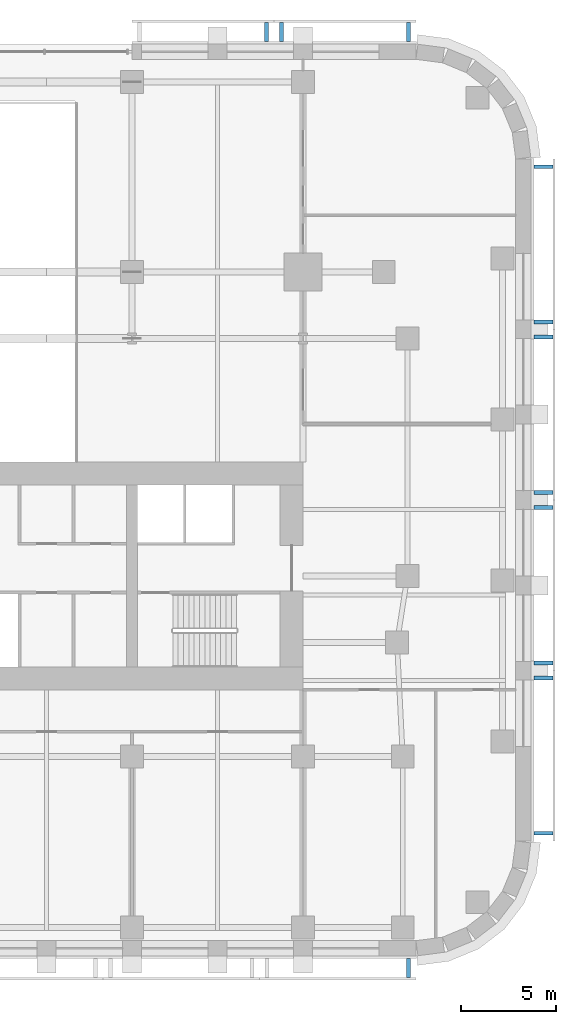
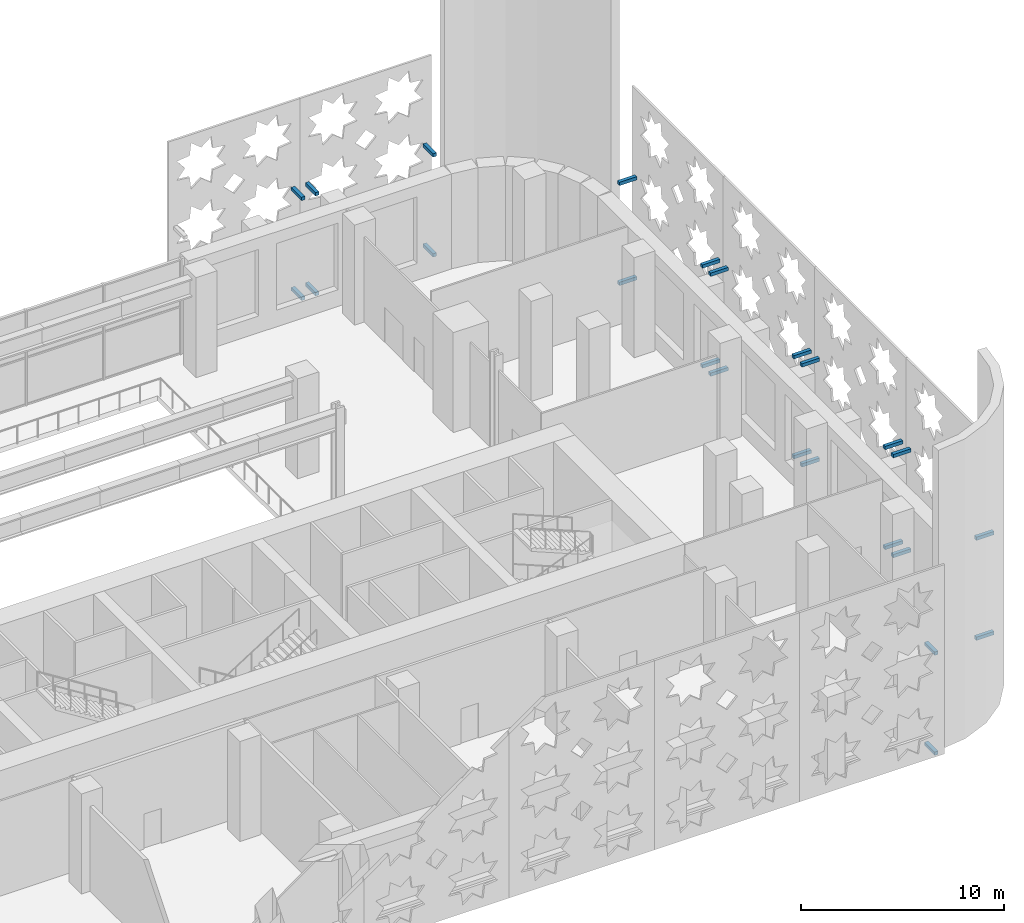
# One storey, part 11 of 17: 24 discrete accessories.
"""IFC4 building model written with IfcOpenShell, lengths in metres."""

from ifc_helpers import new_model, si_unit, direction, frame, origin, origin_2d, place, context, subcontext, project, spatial, rectangle, extrude, material, type_object, element, save


model = new_model("IFC4")

# Units and contexts
model_context = context("Model", 3, precision=1e-05, world=origin(), true_north=direction((0.0, 1.0)))
body_context = subcontext(model_context, "Body", "Model", "MODEL_VIEW")
ifc_project = project(units=[si_unit("LENGTHUNIT", "METRE"), si_unit("AREAUNIT", "SQUARE_METRE"), si_unit("VOLUMEUNIT", "CUBIC_METRE"), si_unit("PLANEANGLEUNIT", "RADIAN"), si_unit("MASSUNIT", "GRAM", prefix="KILO")], contexts=[model_context])

# Site, building, storey
site_placement = place(None, origin())
site = spatial("IfcSite", under=ifc_project, at=site_placement, CompositionType="ELEMENT")
building_placement = place(site_placement, origin())
building = spatial("IfcBuilding", under=site, at=building_placement, Name="Zellij Exchange Tower", CompositionType="ELEMENT")
storey_placement = place(building_placement, frame((0.0, 0.0, 21.0)))
storey = spatial("IfcBuildingStorey", under=building, at=storey_placement, Name="L03", CompositionType="ELEMENT", Elevation=21.0)

# Discrete accessories
ifc_material = material(Name="Stainless steel", Category="steel")
discrete_accessory_type = type_object("IfcDiscreteAccessoryType", Name="ENV-BR1 Stone panel bracket 200", PredefinedType="USERDEFINED", material=ifc_material)
for number, where, z_axis, x_axis, name in (
    (1, (32.547607421875, -28.64990234375, 0.2998046875), (0.0, 0.0, 1.0), (1.0, 0.0, 0.0), "Panel bracket"),
    (2, (32.547607421875, -28.64990234375, 6.2998046875), (0.0, 0.0, 1.0), (1.0, 0.0, 0.0), "Panel bracket"),
    (3, (32.547607421875, 20.64990234375, 0.2998046875), (0.0, 0.0, 1.0), (-1.0, 0.0, 0.0), "Panel bracket"),
    (4, (25.873779296875, 20.64990234375, 0.2998046875), (0.0, 0.0, 1.0), (-1.0, 0.0, 0.0), "Panel bracket"),
    (5, (32.547607421875, 20.64990234375, 6.2998046875), (0.0, 0.0, 1.0), (-1.0, 0.0, 0.0), "Panel bracket"),
    (6, (25.873779296875, 20.64990234375, 6.2998046875), (0.0, 0.0, 1.0), (-1.0, 0.0, 0.0), "Panel bracket"),
    (7, (25.07373046875, 20.64990234375, 0.2998046875), (0.0, 0.0, 1.0), (-1.0, 0.0, 0.0), "Panel bracket"),
    (8, (25.07373046875, 20.64990234375, 6.2998046875), (0.0, 0.0, 1.0), (-1.0, 0.0, 0.0), "Panel bracket"),
    (9, (39.64990234375, -21.547607421875, 0.2998046875), (0.0, 0.0, 1.0), (0.0, 1.0, 0.0), "Panel bracket"),
    (10, (39.64990234375, -13.373779296875, 0.2998046875), (0.0, 0.0, 1.0), (0.0, 1.0, 0.0), "Panel bracket"),
    (11, (39.64990234375, -21.547607421875, 6.2998046875), (0.0, 0.0, 1.0), (0.0, 1.0, 0.0), "Panel bracket"),
    (12, (39.64990234375, -13.373779296875, 6.2998046875), (0.0, 0.0, 1.0), (0.0, 1.0, 0.0), "Panel bracket"),
    (13, (39.64990234375, -12.57373046875, 0.2998046875), (0.0, 0.0, 1.0), (0.0, 1.0, 0.0), "Panel bracket"),
    (14, (39.64990234375, -4.39990234375, 0.2998046875), (0.0, 0.0, 1.0), (0.0, 1.0, 0.0), "Panel bracket"),
    (15, (39.64990234375, -12.57373046875, 6.2998046875), (0.0, 0.0, 1.0), (0.0, 1.0, 0.0), "Panel bracket"),
    (16, (39.64990234375, -4.39990234375, 6.2998046875), (0.0, 0.0, 1.0), (0.0, 1.0, 0.0), "Panel bracket"),
    (17, (39.64990234375, -3.60009765625, 0.2998046875), (0.0, 0.0, 1.0), (0.0, 1.0, 0.0), "Panel bracket"),
    (18, (39.64990234375, 4.57373046875, 0.2998046875), (0.0, 0.0, 1.0), (0.0, 1.0, 0.0), "Panel bracket"),
    (19, (39.64990234375, -3.60009765625, 6.2998046875), (0.0, 0.0, 1.0), (0.0, 1.0, 0.0), "Panel bracket"),
    (20, (39.64990234375, 4.57373046875, 6.2998046875), (0.0, 0.0, 1.0), (0.0, 1.0, 0.0), "Panel bracket"),
    (21, (39.64990234375, 5.373779296875, 0.2998046875), (0.0, 0.0, 1.0), (0.0, 1.0, 0.0), "Panel bracket"),
    (22, (39.64990234375, 13.547607421875, 0.2998046875), (0.0, 0.0, 1.0), (0.0, 1.0, 0.0), "Panel bracket"),
    (23, (39.64990234375, 5.373779296875, 6.2998046875), (0.0, 0.0, 1.0), (0.0, 1.0, 0.0), "Panel bracket"),
    (24, (39.64990234375, 13.547607421875, 6.2998046875), (0.0, 0.0, 1.0), (0.0, 1.0, 0.0), "Panel bracket"),
):
    element("IfcDiscreteAccessory", number, at=place(storey_placement, frame(where, z_axis=z_axis, x_axis=x_axis)), inside=storey, type_object=discrete_accessory_type, Name=name, ObjectType="BRACKET", PredefinedType="USERDEFINED", context=body_context, shape_type="SweptSolid", body=[
        extrude(rectangle(XDim=0.199951171875, YDim=1.0, at=origin_2d()), origin(), (0.0, 0.0, 1.0), 0.199951171875),
    ])

save(model, "model.ifc")
